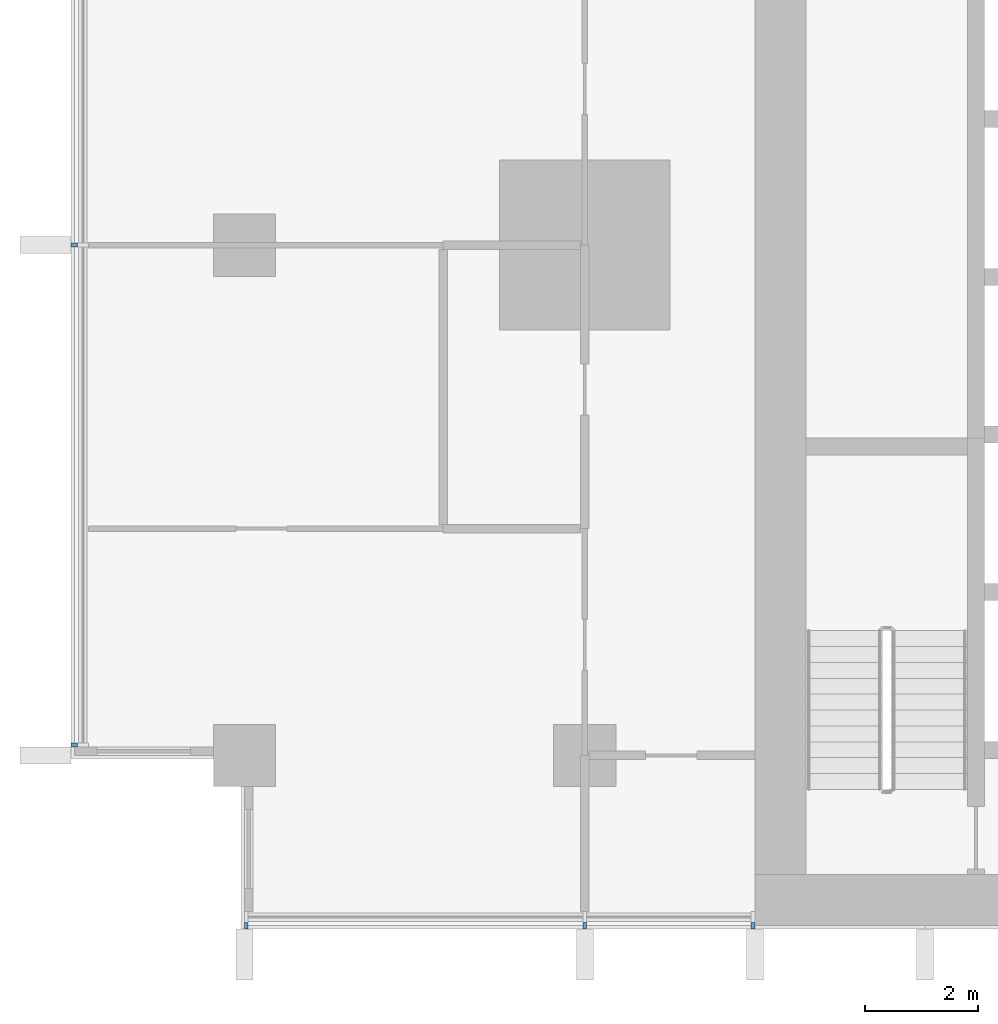
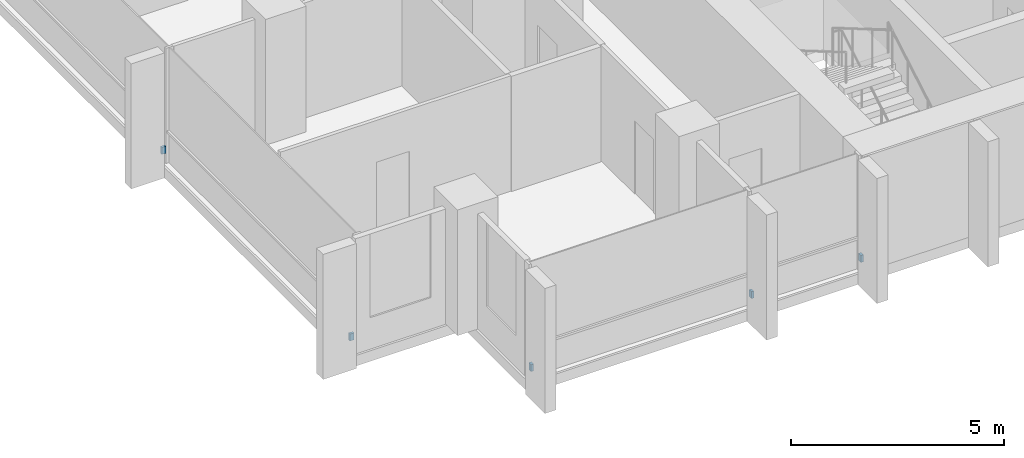
# One storey, part 14 of 18: 5 discrete accessories.
"""IFC4 building model written with IfcOpenShell, lengths in metres."""

from ifc_helpers import new_model, si_unit, direction, frame, origin, origin_2d, place, context, subcontext, project, spatial, rectangle, extrude, material, type_object, element, save


model = new_model("IFC4")

# Units and contexts
model_context = context("Model", 3, precision=1e-05, world=origin(), true_north=direction((0.0, 1.0)))
body_context = subcontext(model_context, "Body", "Model", "MODEL_VIEW")
ifc_project = project(units=[si_unit("LENGTHUNIT", "METRE"), si_unit("AREAUNIT", "SQUARE_METRE"), si_unit("VOLUMEUNIT", "CUBIC_METRE"), si_unit("PLANEANGLEUNIT", "RADIAN"), si_unit("MASSUNIT", "GRAM", prefix="KILO")], contexts=[model_context])

# Site, building, storey
site_placement = place(None, origin())
site = spatial("IfcSite", under=ifc_project, at=site_placement, CompositionType="ELEMENT")
building_placement = place(site_placement, origin())
building = spatial("IfcBuilding", under=site, at=building_placement, Name="Finial Court Residences", CompositionType="ELEMENT")
storey_placement = place(building_placement, frame((0.0, 0.0, 57.699951171875)))
storey = spatial("IfcBuildingStorey", under=building, at=storey_placement, Name="L13", CompositionType="ELEMENT", Elevation=57.699951171875)

# Discrete accessories
ifc_material = material(Name="Stainless steel 316", Category="steel")
discrete_accessory_type = type_object("IfcDiscreteAccessoryType", Name="Fin bracket, stainless steel 65 x 110 x 200", PredefinedType="BRACKET", material=ifc_material)
for number, where, z_axis, x_axis, name in (
    (1, (-22.467529296875, -25.5048828125, 0.30029296875), (0.0, 0.0, 1.0), (1.0, 0.0, 0.0), "E-L13-FIN-S17-BRK"),
    (2, (-16.5, -25.5048828125, 0.30029296875), (0.0, 0.0, 1.0), (1.0, 0.0, 0.0), "E-L13-FIN-S18-BRK"),
    (3, (-13.532470703125, -25.5048828125, 0.30029296875), (0.0, 0.0, 1.0), (1.0, 0.0, 0.0), "E-L13-FIN-S19-BRK"),
):
    element("IfcDiscreteAccessory", number, at=place(storey_placement, frame(where, z_axis=z_axis, x_axis=x_axis)), inside=storey, type_object=discrete_accessory_type, Name=name, PredefinedType="BRACKET", context=body_context, shape_type="SweptSolid", body=[
        extrude(rectangle(XDim=0.06494140625, YDim=0.110107421875, at=origin_2d()), origin(), (0.0, 0.0, 1.0), 0.199951171875),
    ])
for number, where, z_axis, x_axis, name in (
    (4, (-25.5048828125, -22.3173828125, 0.30029296875), (0.0, 0.0, 1.0), (1.0, 0.0, 0.0), "E-L13-FIN-W27-BRK"),
    (5, (-25.5048828125, -13.5, 0.30029296875), (0.0, 0.0, 1.0), (1.0, 0.0, 0.0), "E-L13-FIN-W28-BRK"),
):
    element("IfcDiscreteAccessory", number, at=place(storey_placement, frame(where, z_axis=z_axis, x_axis=x_axis)), inside=storey, type_object=discrete_accessory_type, Name=name, PredefinedType="BRACKET", context=body_context, shape_type="SweptSolid", body=[
        extrude(rectangle(XDim=0.110107421875, YDim=0.06494140625, at=origin_2d()), origin(), (0.0, 0.0, 1.0), 0.199951171875),
    ])

save(model, "model.ifc")
